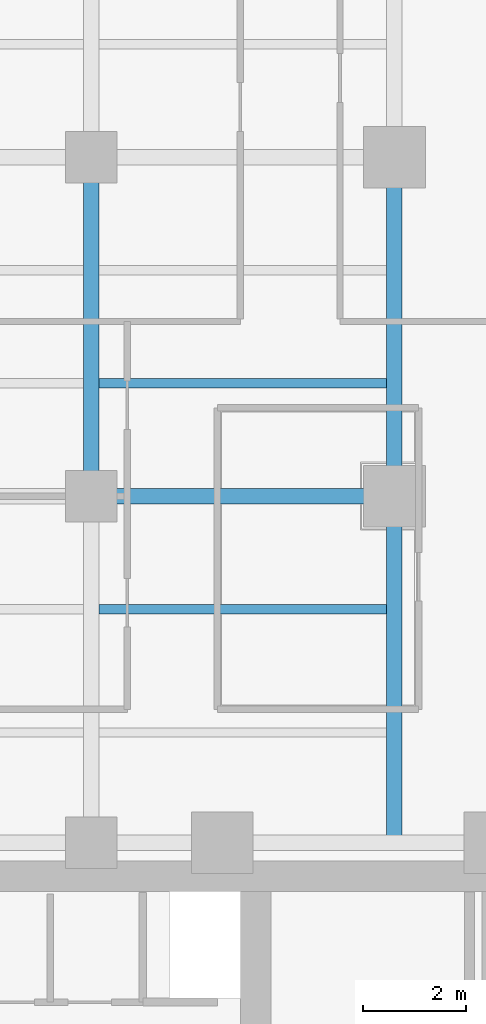
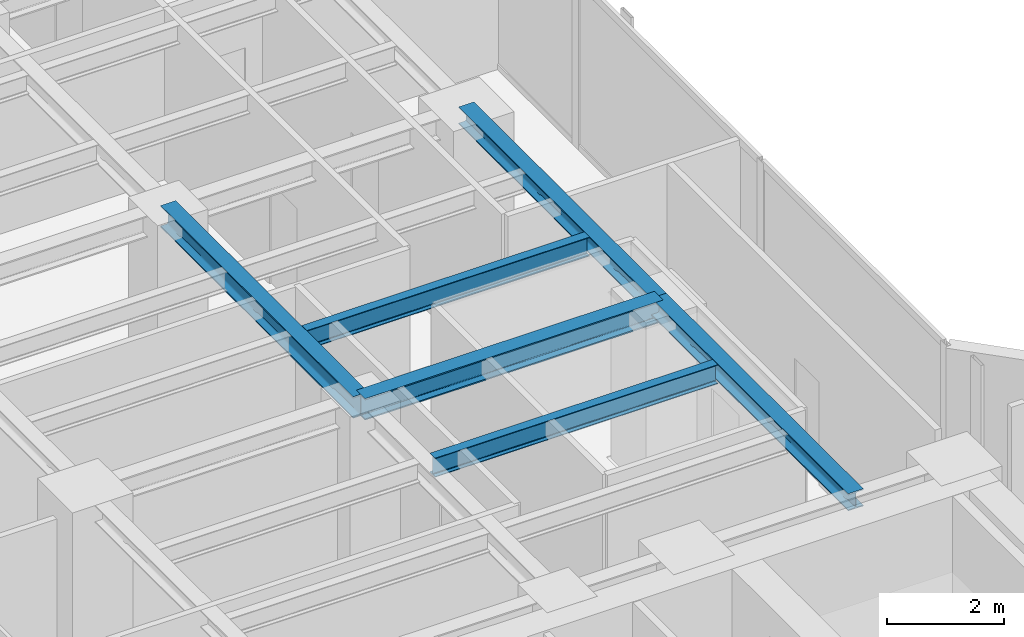
# One storey, part 8 of 24: 6 beams.
"""IFC4 building model written with IfcOpenShell, lengths in metres."""

from ifc_helpers import new_model, si_unit, direction, frame, origin, origin_2d, place, context, subcontext, project, spatial, i_section, extrude, material, material_profile, profile_set, type_object, element, save


model = new_model("IFC4")

# Units and contexts
model_context = context("Model", 3, precision=1e-05, world=origin(), true_north=direction((0.0, 1.0)))
body_context = subcontext(model_context, "Body", "Model", "MODEL_VIEW")
ifc_project = project(units=[si_unit("LENGTHUNIT", "METRE"), si_unit("AREAUNIT", "SQUARE_METRE"), si_unit("VOLUMEUNIT", "CUBIC_METRE"), si_unit("PLANEANGLEUNIT", "RADIAN"), si_unit("MASSUNIT", "GRAM", prefix="KILO")], contexts=[model_context])

# Site, building, storey
site_placement = place(None, origin())
site = spatial("IfcSite", under=ifc_project, at=site_placement, CompositionType="ELEMENT")
building_placement = place(site_placement, origin())
building = spatial("IfcBuilding", under=site, at=building_placement, Name="Kolvaren Waterfront Exchange", CompositionType="ELEMENT")
storey_placement = place(building_placement, frame((0.0, 0.0, 169.0)))
storey = spatial("IfcBuildingStorey", under=building, at=storey_placement, Name="L43", CompositionType="ELEMENT", Elevation=169.0)

# Beams
ifc_material = material(Name="Steel S355", Category="steel")
ifc_material_profile_1 = material_profile(ifc_material, i_section(OverallWidth=0.300048828125, OverallDepth=0.360107421875, WebThickness=0.012451171875, FlangeThickness=0.0224609375, FilletRadius=0.027099609375, at=origin_2d()), Name="HEB360")
ifc_profile_set_1 = profile_set([ifc_material_profile_1], Name="Steel S355")
beam_type_1 = type_object("IfcBeamType", Name="STR-BM-HEB360", PredefinedType="SPANDREL", material=ifc_profile_set_1)
beam_1_placement = place(storey_placement, frame((18.800048828125, 24.449951171875, 3.3798828125), z_axis=(0.0, 1.0, 0.0), x_axis=(-1.0, 0.0, 0.0)))
element("IfcBeam", 1, at=beam_1_placement, inside=storey, type_object=beam_type_1, Name="L43 north-arm edge beam 1", PredefinedType="SPANDREL", context=body_context, shape_type="SweptSolid", body=[
    extrude(i_section(OverallWidth=0.300048828125, OverallDepth=0.360107421875, WebThickness=0.012451171875, FlangeThickness=0.0224609375, FilletRadius=0.027099609375, at=origin_2d()), origin(), (0.0, 0.0, 1.0), 6.75),
])
beam_2_placement = place(storey_placement, frame((18.800048828125, 31.199951171875, 3.3798828125), z_axis=(0.0, 1.0, 0.0), x_axis=(-1.0, 0.0, 0.0)))
element("IfcBeam", 2, at=beam_2_placement, inside=storey, type_object=beam_type_1, Name="L43 north-arm edge beam 2", PredefinedType="SPANDREL", context=body_context, shape_type="SweptSolid", body=[
    extrude(i_section(OverallWidth=0.300048828125, OverallDepth=0.360107421875, WebThickness=0.012451171875, FlangeThickness=0.0224609375, FilletRadius=0.027099609375, at=origin_2d()), origin(), (0.0, 0.0, 1.0), 6.60009765625),
])
ifc_material_profile_2 = material_profile(ifc_material, i_section(OverallWidth=0.300048828125, OverallDepth=0.449951171875, WebThickness=0.013916015625, FlangeThickness=0.02587890625, FilletRadius=0.027099609375, at=origin_2d()), Name="HEB450")
ifc_profile_set_2 = profile_set([ifc_material_profile_2], Name="Steel S355")
beam_type_2 = type_object("IfcBeamType", Name="STR-BM-HEB450", PredefinedType="BEAM", material=ifc_profile_set_2)
beam_3_placement = place(storey_placement, frame((12.89990234375, 31.199951171875, 3.3349609375), z_axis=(1.0, 0.0, 0.0), x_axis=(0.0, 1.0, 0.0)))
element("IfcBeam", 3, at=beam_3_placement, inside=storey, type_object=beam_type_2, Name="L43 north-arm girder 2B", PredefinedType="BEAM", context=body_context, shape_type="SweptSolid", body=[
    extrude(i_section(OverallWidth=0.300048828125, OverallDepth=0.449951171875, WebThickness=0.013916015625, FlangeThickness=0.02587890625, FilletRadius=0.027099609375, at=origin_2d()), origin(), (0.0, 0.0, 1.0), 5.900146484375),
])
beam_4_placement = place(storey_placement, frame((12.89990234375, 31.199951171875, 3.3349609375), z_axis=(0.0, 1.0, 0.0), x_axis=(-1.0, 0.0, 0.0)))
element("IfcBeam", 4, at=beam_4_placement, inside=storey, type_object=beam_type_2, Name="L43 north-arm edge beam 2", PredefinedType="BEAM", context=body_context, shape_type="SweptSolid", body=[
    extrude(i_section(OverallWidth=0.300048828125, OverallDepth=0.449951171875, WebThickness=0.013916015625, FlangeThickness=0.02587890625, FilletRadius=0.027099609375, at=origin_2d()), origin(), (0.0, 0.0, 1.0), 6.60009765625),
])
ifc_material_profile_3 = material_profile(ifc_material, i_section(OverallWidth=0.179931640625, OverallDepth=0.39990234375, WebThickness=0.008544921875, FlangeThickness=0.013427734375, FilletRadius=0.02099609375, at=origin_2d()), Name="IPE400")
ifc_profile_set_3 = profile_set([ifc_material_profile_3], Name="Steel S355")
beam_type_3 = type_object("IfcBeamType", Name="STR-BM-IPE400", PredefinedType="JOIST", material=ifc_profile_set_3)
for number, where, z_axis, x_axis, name in (
    (5, (13.052001953125, 29.0, 3.360107421875), (1.0, 0.0, 0.0), (0.0, 1.0, 0.0), "L43 north-arm composite joist 2B"),
    (6, (13.052001953125, 33.39990234375, 3.360107421875), (1.0, 0.0, 0.0), (0.0, 1.0, 0.0), "L43 north-arm composite joist 3B"),
):
    element("IfcBeam", number, at=place(storey_placement, frame(where, z_axis=z_axis, x_axis=x_axis)), inside=storey, type_object=beam_type_3, Name=name, PredefinedType="JOIST", context=body_context, shape_type="SweptSolid", body=[
        extrude(i_section(OverallWidth=0.179931640625, OverallDepth=0.39990234375, WebThickness=0.008544921875, FlangeThickness=0.013427734375, FilletRadius=0.02099609375, at=origin_2d()), origin(), (0.0, 0.0, 1.0), 5.595947265625),
    ])

save(model, "model.ifc")
